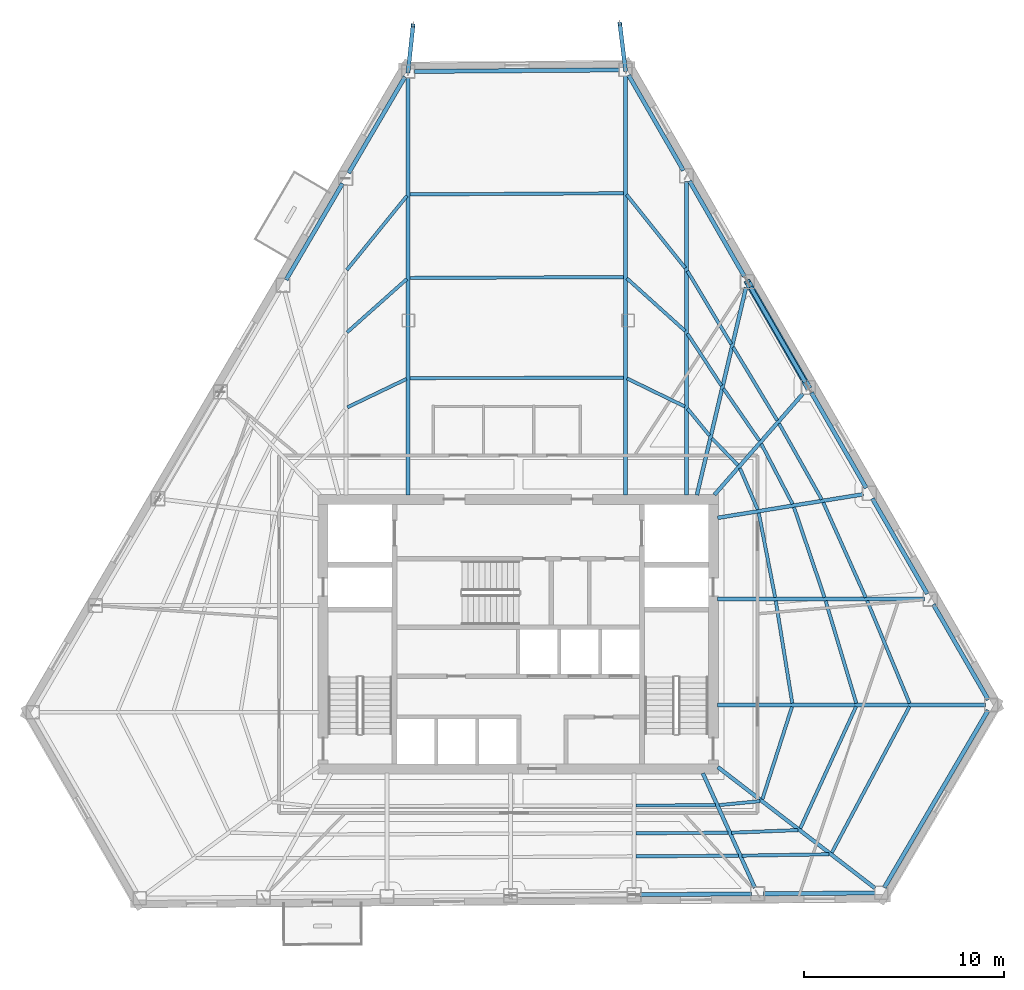
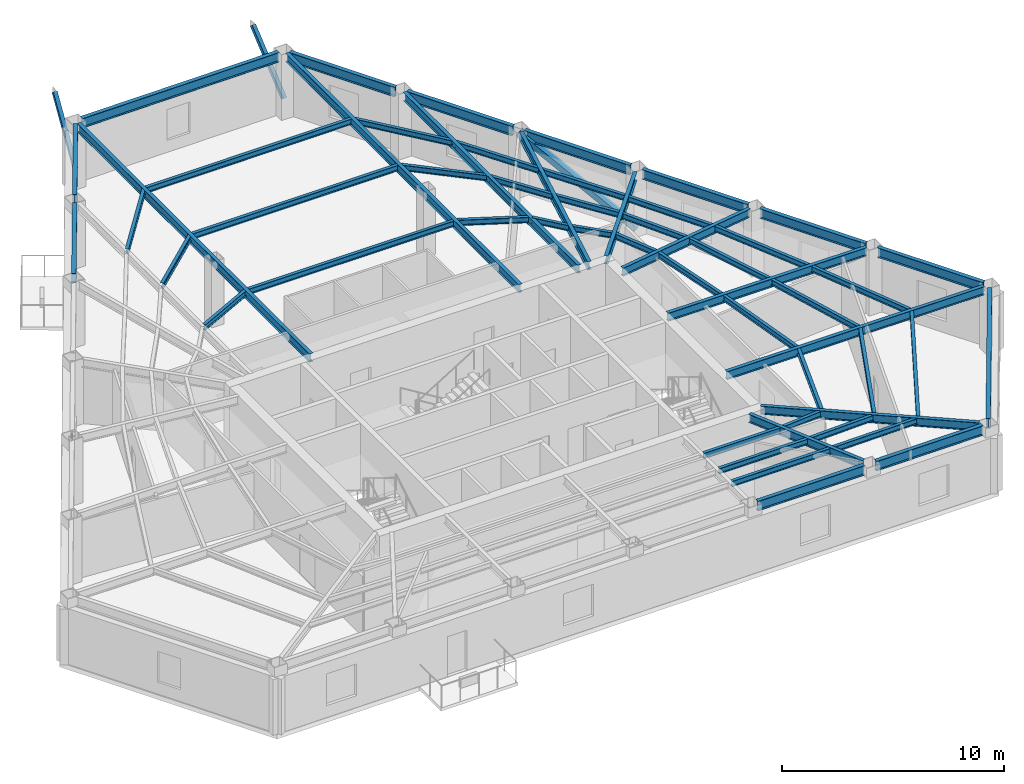
# One storey, part 2 of 12: 55 beams, 3 members.
"""IFC4 building model written with IfcOpenShell, lengths in metres."""

from ifc_helpers import new_model, si_unit, direction, frame, origin, origin_2d, place, context, subcontext, project, spatial, hollow_rectangle, i_section, extrude, material, material_profile, profile_set, type_object, element, save


model = new_model("IFC4")

# Units and contexts
model_context = context("Model", 3, precision=1e-05, world=origin(), true_north=direction((0.0, 1.0)))
body_context = subcontext(model_context, "Body", "Model", "MODEL_VIEW")
ifc_project = project(units=[si_unit("LENGTHUNIT", "METRE"), si_unit("AREAUNIT", "SQUARE_METRE"), si_unit("VOLUMEUNIT", "CUBIC_METRE"), si_unit("PLANEANGLEUNIT", "RADIAN"), si_unit("MASSUNIT", "GRAM", prefix="KILO")], contexts=[model_context])

# Site, building, storey
site_placement = place(None, origin())
site = spatial("IfcSite", under=ifc_project, at=site_placement, CompositionType="ELEMENT")
building_placement = place(site_placement, origin())
building = spatial("IfcBuilding", under=site, at=building_placement, Name="Kavelnor Concourse Tower", CompositionType="ELEMENT")
storey_placement = place(building_placement, frame((0.0, 0.0, 143.25)))
storey = spatial("IfcBuildingStorey", under=building, at=storey_placement, Name="L36", CompositionType="ELEMENT", Elevation=143.25)

# Beams
ifc_material = material(Name="Steel Grade 350", Category="steel")
ifc_material_profile_1 = material_profile(ifc_material, i_section(OverallWidth=0.166015625, OverallDepth=0.306884765625, WebThickness=0.006591796875, FlangeThickness=0.01171875, at=origin_2d()), Name="310UB46")
ifc_profile_set_1 = profile_set([ifc_material_profile_1], Name="Steel Grade 350")
beam_type_1 = type_object("IfcBeamType", Name="BM-JOIST-310", PredefinedType="JOIST", material=ifc_profile_set_1)
beam_1_placement = place(storey_placement, frame((43.88720703125, 7.520263671875, 3.446533203125), z_axis=(0.999996380696, 0.002690463541, 0.0), x_axis=(-0.002690463541, 0.999996380696, 0.0)))
element("IfcBeam", 1, at=beam_1_placement, inside=storey, type_object=beam_type_1, Name="L36 Secondary Composite Joist 06-1", PredefinedType="JOIST", context=body_context, shape_type="SweptSolid", body=[
    extrude(i_section(OverallWidth=0.166015625, OverallDepth=0.306884765625, WebThickness=0.006591796875, FlangeThickness=0.01171875, at=origin_2d()), origin(), (0.0, 0.0, 1.0), 3.99267578125),
])
beam_2_placement = place(storey_placement, frame((43.88720703125, 6.132080078125, 3.446533203125), z_axis=(0.999987650457, 0.004969802218, 0.0), x_axis=(-0.004969802218, 0.999987650457, 0.0)))
element("IfcBeam", 2, at=beam_2_placement, inside=storey, type_object=beam_type_1, Name="L36 Secondary Composite Joist 06-2", PredefinedType="JOIST", context=body_context, shape_type="SweptSolid", body=[
    extrude(i_section(OverallWidth=0.166015625, OverallDepth=0.306884765625, WebThickness=0.006591796875, FlangeThickness=0.01171875, at=origin_2d()), origin(), (0.0, 0.0, 1.0), 4.61767578125),
])
beam_3_placement = place(storey_placement, frame((43.88720703125, 4.97509765625, 3.446533203125), z_axis=(0.99997912567, 0.006461286635, 0.0), x_axis=(-0.006461286635, 0.99997912567, 0.0)))
element("IfcBeam", 3, at=beam_3_placement, inside=storey, type_object=beam_type_1, Name="L36 Secondary Composite Joist 06-3", PredefinedType="JOIST", context=body_context, shape_type="SweptSolid", body=[
    extrude(i_section(OverallWidth=0.166015625, OverallDepth=0.306884765625, WebThickness=0.006591796875, FlangeThickness=0.01171875, at=origin_2d()), origin(), (0.0, 0.0, 1.0), 5.138671875),
])
beam_4_placement = place(storey_placement, frame((48.0576171875, 7.539794921875, 3.446533203125), z_axis=(0.995256979001, 0.097280757346, 0.0), x_axis=(-0.097280757346, 0.995256979001, 0.0)))
element("IfcBeam", 4, at=beam_4_placement, inside=storey, type_object=beam_type_1, Name="L36 Secondary Composite Joist 07-1", PredefinedType="JOIST", context=body_context, shape_type="SweptSolid", body=[
    extrude(i_section(OverallWidth=0.166015625, OverallDepth=0.306884765625, WebThickness=0.006591796875, FlangeThickness=0.01171875, at=origin_2d()), origin(), (0.0, 0.0, 1.0), 2.055419921875),
])
beam_5_placement = place(storey_placement, frame((48.68310546875, 6.158935546875, 3.446533203125), z_axis=(0.999218761506, 0.03952045869, 0.0), x_axis=(-0.03952045869, 0.999218761506, 0.0)))
element("IfcBeam", 5, at=beam_5_placement, inside=storey, type_object=beam_type_1, Name="L36 Secondary Composite Joist 07-2", PredefinedType="JOIST", context=body_context, shape_type="SweptSolid", body=[
    extrude(i_section(OverallWidth=0.166015625, OverallDepth=0.306884765625, WebThickness=0.006591796875, FlangeThickness=0.01171875, at=origin_2d()), origin(), (0.0, 0.0, 1.0), 3.311279296875),
])
beam_6_placement = place(storey_placement, frame((49.2041015625, 5.01025390625, 3.446533203125), z_axis=(0.999874540452, 0.015839929184, 0.0), x_axis=(-0.015839929184, 0.999874540452, 0.0)))
element("IfcBeam", 6, at=beam_6_placement, inside=storey, type_object=beam_type_1, Name="L36 Secondary Composite Joist 07-3", PredefinedType="JOIST", context=body_context, shape_type="SweptSolid", body=[
    extrude(i_section(OverallWidth=0.166015625, OverallDepth=0.306884765625, WebThickness=0.006591796875, FlangeThickness=0.01171875, at=origin_2d()), origin(), (0.0, 0.0, 1.0), 4.36181640625),
])
beam_7_placement = place(storey_placement, frame((50.218994140625, 7.8330078125, 3.446533203125), z_axis=(0.305128856292, 0.952311073682, 0.0), x_axis=(-0.952311073682, 0.305128856292, 0.0)))
element("IfcBeam", 7, at=beam_7_placement, inside=storey, type_object=beam_type_1, Name="L36 Secondary Composite Joist 08-1", PredefinedType="JOIST", context=body_context, shape_type="SweptSolid", body=[
    extrude(i_section(OverallWidth=0.166015625, OverallDepth=0.306884765625, WebThickness=0.006591796875, FlangeThickness=0.01171875, at=origin_2d()), origin(), (0.0, 0.0, 1.0), 4.866455078125),
])
beam_8_placement = place(storey_placement, frame((52.117431640625, 6.374267578125, 3.446533203125), z_axis=(0.416324974313, 0.909215879626, 0.0), x_axis=(-0.909215879626, 0.416324974313, 0.0)))
element("IfcBeam", 8, at=beam_8_placement, inside=storey, type_object=beam_type_1, Name="L36 Secondary Composite Joist 08-2", PredefinedType="JOIST", context=body_context, shape_type="SweptSolid", body=[
    extrude(i_section(OverallWidth=0.166015625, OverallDepth=0.306884765625, WebThickness=0.006591796875, FlangeThickness=0.01171875, at=origin_2d()), origin(), (0.0, 0.0, 1.0), 6.705810546875),
])
beam_9_placement = place(storey_placement, frame((53.6962890625, 5.1591796875, 3.446533203125), z_axis=(0.469299608616, 0.883039001037, 0.0), x_axis=(-0.883039001037, 0.469299608616, 0.0)))
element("IfcBeam", 9, at=beam_9_placement, inside=storey, type_object=beam_type_1, Name="L36 Secondary Composite Joist 08-3", PredefinedType="JOIST", context=body_context, shape_type="SweptSolid", body=[
    extrude(i_section(OverallWidth=0.166015625, OverallDepth=0.306884765625, WebThickness=0.006591796875, FlangeThickness=0.01171875, at=origin_2d()), origin(), (0.0, 0.0, 1.0), 8.282958984375),
])
beam_10_placement = place(storey_placement, frame((51.716796875, 12.639892578125, 3.446533203125), z_axis=(-0.159223562906, 0.987242552272, 0.0), x_axis=(-0.987242552272, -0.159223562906, 0.0)))
element("IfcBeam", 10, at=beam_10_placement, inside=storey, type_object=beam_type_1, Name="L36 Secondary Composite Joist 09-1", PredefinedType="JOIST", context=body_context, shape_type="SweptSolid", body=[
    extrude(i_section(OverallWidth=0.166015625, OverallDepth=0.306884765625, WebThickness=0.006591796875, FlangeThickness=0.01171875, at=origin_2d()), origin(), (0.0, 0.0, 1.0), 5.188720703125),
])
beam_11_placement = place(storey_placement, frame((54.920654296875, 12.63720703125, 3.446533203125), z_axis=(-0.286933601153, 0.9579504729, 0.0), x_axis=(-0.9579504729, -0.286933601153, 0.0)))
element("IfcBeam", 11, at=beam_11_placement, inside=storey, type_object=beam_type_1, Name="L36 Secondary Composite Joist 09-2", PredefinedType="JOIST", context=body_context, shape_type="SweptSolid", body=[
    extrude(i_section(OverallWidth=0.166015625, OverallDepth=0.306884765625, WebThickness=0.006591796875, FlangeThickness=0.01171875, at=origin_2d()), origin(), (0.0, 0.0, 1.0), 5.352783203125),
])
beam_12_placement = place(storey_placement, frame((57.59130859375, 12.63427734375, 3.446533203125), z_axis=(-0.383055249114, 0.9237254333, 0.0), x_axis=(-0.9237254333, -0.383055249114, 0.0)))
element("IfcBeam", 12, at=beam_12_placement, inside=storey, type_object=beam_type_1, Name="L36 Secondary Composite Joist 09-3", PredefinedType="JOIST", context=body_context, shape_type="SweptSolid", body=[
    extrude(i_section(OverallWidth=0.166015625, OverallDepth=0.306884765625, WebThickness=0.006591796875, FlangeThickness=0.01171875, at=origin_2d()), origin(), (0.0, 0.0, 1.0), 5.5576171875),
])
beam_13_placement = place(storey_placement, frame((50.859619140625, 17.937744140625, 3.446533203125), z_axis=(-0.190582714148, 0.981671140998, 0.0), x_axis=(-0.981671140998, -0.190582714148, 0.0)))
element("IfcBeam", 13, at=beam_13_placement, inside=storey, type_object=beam_type_1, Name="L36 Secondary Composite Joist 10-1", PredefinedType="JOIST", context=body_context, shape_type="SweptSolid", body=[
    extrude(i_section(OverallWidth=0.166015625, OverallDepth=0.306884765625, WebThickness=0.006591796875, FlangeThickness=0.01171875, at=origin_2d()), origin(), (0.0, 0.0, 1.0), 4.30419921875),
])
beam_14_placement = place(storey_placement, frame((53.330810546875, 17.9345703125, 3.446533203125), z_axis=(-0.320910034474, 0.947109682019, 0.0), x_axis=(-0.947109682019, -0.320910034474, 0.0)))
element("IfcBeam", 14, at=beam_14_placement, inside=storey, type_object=beam_type_1, Name="L36 Secondary Composite Joist 10-2", PredefinedType="JOIST", context=body_context, shape_type="SweptSolid", body=[
    extrude(i_section(OverallWidth=0.166015625, OverallDepth=0.306884765625, WebThickness=0.006591796875, FlangeThickness=0.01171875, at=origin_2d()), origin(), (0.0, 0.0, 1.0), 4.76708984375),
])
beam_15_placement = place(storey_placement, frame((55.39208984375, 17.931640625, 3.446533203125), z_axis=(-0.407876896316, 0.913036931045, 0.0), x_axis=(-0.913036931045, -0.407876896316, 0.0)))
element("IfcBeam", 15, at=beam_15_placement, inside=storey, type_object=beam_type_1, Name="L36 Secondary Composite Joist 10-3", PredefinedType="JOIST", context=body_context, shape_type="SweptSolid", body=[
    extrude(i_section(OverallWidth=0.166015625, OverallDepth=0.306884765625, WebThickness=0.006591796875, FlangeThickness=0.01171875, at=origin_2d()), origin(), (0.0, 0.0, 1.0), 5.2099609375),
])
beam_16_placement = place(storey_placement, frame((49.987060546875, 22.332275390625, 3.446533203125), z_axis=(-0.395197427246, 0.918596208079, 0.0), x_axis=(-0.918596208079, -0.395197427246, 0.0)))
element("IfcBeam", 16, at=beam_16_placement, inside=storey, type_object=beam_type_1, Name="L36 Secondary Composite Joist 11-1", PredefinedType="JOIST", context=body_context, shape_type="SweptSolid", body=[
    extrude(i_section(OverallWidth=0.166015625, OverallDepth=0.306884765625, WebThickness=0.006591796875, FlangeThickness=0.01171875, at=origin_2d()), origin(), (0.0, 0.0, 1.0), 2.258544921875),
])
beam_17_placement = place(storey_placement, frame((51.7314453125, 22.61279296875, 3.446533203125), z_axis=(-0.461474947787, 0.887153240745, 0.0), x_axis=(-0.887153240745, -0.461474947787, 0.0)))
element("IfcBeam", 17, at=beam_17_placement, inside=storey, type_object=beam_type_1, Name="L36 Secondary Composite Joist 11-2", PredefinedType="JOIST", context=body_context, shape_type="SweptSolid", body=[
    extrude(i_section(OverallWidth=0.166015625, OverallDepth=0.306884765625, WebThickness=0.006591796875, FlangeThickness=0.01171875, at=origin_2d()), origin(), (0.0, 0.0, 1.0), 3.396484375),
])
beam_18_placement = place(storey_placement, frame((53.187255859375, 22.847412109375, 3.446533203125), z_axis=(-0.490298522762, 0.871554564315, 0.0), x_axis=(-0.871554564315, -0.490298522762, 0.0)))
element("IfcBeam", 18, at=beam_18_placement, inside=storey, type_object=beam_type_1, Name="L36 Secondary Composite Joist 11-3", PredefinedType="JOIST", context=body_context, shape_type="SweptSolid", body=[
    extrude(i_section(OverallWidth=0.166015625, OverallDepth=0.306884765625, WebThickness=0.006591796875, FlangeThickness=0.01171875, at=origin_2d()), origin(), (0.0, 0.0, 1.0), 4.3525390625),
])
beam_19_placement = place(storey_placement, frame((48.997314453125, 24.552734375, 3.446533203125), z_axis=(-0.694722031567, 0.719278318077, 0.0), x_axis=(-0.719278318077, -0.694722031567, 0.0)))
element("IfcBeam", 19, at=beam_19_placement, inside=storey, type_object=beam_type_1, Name="L36 Secondary Composite Joist 12-1", PredefinedType="JOIST", context=body_context, shape_type="SweptSolid", body=[
    extrude(i_section(OverallWidth=0.166015625, OverallDepth=0.306884765625, WebThickness=0.006591796875, FlangeThickness=0.01171875, at=origin_2d()), origin(), (0.0, 0.0, 1.0), 1.879150390625),
])
beam_20_placement = place(storey_placement, frame((50.072509765625, 25.778076171875, 3.446533203125), z_axis=(-0.568340904808, 0.822793179312, 0.0), x_axis=(-0.822793179312, -0.568340904808, 0.0)))
element("IfcBeam", 20, at=beam_20_placement, inside=storey, type_object=beam_type_1, Name="L36 Secondary Composite Joist 12-2", PredefinedType="JOIST", context=body_context, shape_type="SweptSolid", body=[
    extrude(i_section(OverallWidth=0.166015625, OverallDepth=0.306884765625, WebThickness=0.006591796875, FlangeThickness=0.01171875, at=origin_2d()), origin(), (0.0, 0.0, 1.0), 3.171142578125),
])
beam_21_placement = place(storey_placement, frame((50.963623046875, 26.794677734375, 3.446533203125), z_axis=(-0.515728638351, 0.856751989542, 0.0), x_axis=(-0.856751989542, -0.515728638351, 0.0)))
element("IfcBeam", 21, at=beam_21_placement, inside=storey, type_object=beam_type_1, Name="L36 Secondary Composite Joist 12-3", PredefinedType="JOIST", context=body_context, shape_type="SweptSolid", body=[
    extrude(i_section(OverallWidth=0.166015625, OverallDepth=0.306884765625, WebThickness=0.006591796875, FlangeThickness=0.01171875, at=origin_2d()), origin(), (0.0, 0.0, 1.0), 4.279052734375),
])
beam_22_placement = place(storey_placement, frame((47.573486328125, 26.037353515625, 3.446533203125), z_axis=(-0.632548625052, 0.774520649786, 0.0), x_axis=(-0.774520649786, -0.632548625052, 0.0)))
element("IfcBeam", 22, at=beam_22_placement, inside=storey, type_object=beam_type_1, Name="L36 Secondary Composite Joist 13-1", PredefinedType="JOIST", context=body_context, shape_type="SweptSolid", body=[
    extrude(i_section(OverallWidth=0.166015625, OverallDepth=0.306884765625, WebThickness=0.006591796875, FlangeThickness=0.01171875, at=origin_2d()), origin(), (0.0, 0.0, 1.0), 1.73681640625),
])
beam_23_placement = place(storey_placement, frame((48.1708984375, 28.534912109375, 3.446533203125), z_axis=(-0.54715006596, 0.837034530542, 0.0), x_axis=(-0.837034530542, -0.54715006596, 0.0)))
element("IfcBeam", 23, at=beam_23_placement, inside=storey, type_object=beam_type_1, Name="L36 Secondary Composite Joist 13-2", PredefinedType="JOIST", context=body_context, shape_type="SweptSolid", body=[
    extrude(i_section(OverallWidth=0.166015625, OverallDepth=0.306884765625, WebThickness=0.006591796875, FlangeThickness=0.01171875, at=origin_2d()), origin(), (0.0, 0.0, 1.0), 3.113525390625),
])
beam_24_placement = place(storey_placement, frame((48.6650390625, 30.61328125, 3.446533203125), z_axis=(-0.515033414772, 0.857170100778, 0.0), x_axis=(-0.857170100778, -0.515033414772, 0.0)))
element("IfcBeam", 24, at=beam_24_placement, inside=storey, type_object=beam_type_1, Name="L36 Secondary Composite Joist 13-3", PredefinedType="JOIST", context=body_context, shape_type="SweptSolid", body=[
    extrude(i_section(OverallWidth=0.166015625, OverallDepth=0.306884765625, WebThickness=0.006591796875, FlangeThickness=0.01171875, at=origin_2d()), origin(), (0.0, 0.0, 1.0), 4.27294921875),
])
beam_25_placement = place(storey_placement, frame((46.33837890625, 27.490478515625, 3.446533203125), z_axis=(-0.899368268857, 0.437191853737, 0.0), x_axis=(-0.437191853737, -0.899368268857, 0.0)))
element("IfcBeam", 25, at=beam_25_placement, inside=storey, type_object=beam_type_1, Name="L36 Secondary Composite Joist 14-1", PredefinedType="JOIST", context=body_context, shape_type="SweptSolid", body=[
    extrude(i_section(OverallWidth=0.166015625, OverallDepth=0.306884765625, WebThickness=0.006591796875, FlangeThickness=0.01171875, at=origin_2d()), origin(), (0.0, 0.0, 1.0), 3.21484375),
])
beam_26_placement = place(storey_placement, frame((46.352294921875, 31.275146484375, 3.446533203125), z_axis=(-0.742191279625, 0.670188111241, 0.0), x_axis=(-0.670188111241, -0.742191279625, 0.0)))
element("IfcBeam", 26, at=beam_26_placement, inside=storey, type_object=beam_type_1, Name="L36 Secondary Composite Joist 14-2", PredefinedType="JOIST", context=body_context, shape_type="SweptSolid", body=[
    extrude(i_section(OverallWidth=0.166015625, OverallDepth=0.306884765625, WebThickness=0.006591796875, FlangeThickness=0.01171875, at=origin_2d()), origin(), (0.0, 0.0, 1.0), 3.93310546875),
])
beam_27_placement = place(storey_placement, frame((46.36279296875, 34.421875, 3.446533203125), z_axis=(-0.62463811835, 0.780914349404, 0.0), x_axis=(-0.780914349404, -0.62463811835, 0.0)))
element("IfcBeam", 27, at=beam_27_placement, inside=storey, type_object=beam_type_1, Name="L36 Secondary Composite Joist 14-3", PredefinedType="JOIST", context=body_context, shape_type="SweptSolid", body=[
    extrude(i_section(OverallWidth=0.166015625, OverallDepth=0.306884765625, WebThickness=0.006591796875, FlangeThickness=0.01171875, at=origin_2d()), origin(), (0.0, 0.0, 1.0), 4.70703125),
])
for number, where, z_axis, x_axis, name in (
    (28, (43.27783203125, 28.934814453125, 3.446533203125), (-0.999997844991, -0.002076056941, 0.0), (0.002076056941, -0.999997844991, 0.0), "L36 Secondary Composite Joist 15-1"),
    (29, (43.27783203125, 33.970458984375, 3.446533203125), (-0.999992567478, -0.003855513971, 0.0), (0.003855513971, -0.999992567478, 0.0), "L36 Secondary Composite Joist 15-2"),
):
    element("IfcBeam", number, at=place(storey_placement, frame(where, z_axis=z_axis, x_axis=x_axis)), inside=storey, type_object=beam_type_1, Name=name, PredefinedType="JOIST", context=body_context, shape_type="SweptSolid", body=[
        extrude(i_section(OverallWidth=0.166015625, OverallDepth=0.306884765625, WebThickness=0.006591796875, FlangeThickness=0.01171875, at=origin_2d()), origin(), (0.0, 0.0, 1.0), 10.701416015625),
    ])
beam_28_placement = place(storey_placement, frame((43.27783203125, 38.16650390625, 3.446533203125), z_axis=(-0.999985993344, -0.00529274178, 0.0), x_axis=(0.00529274178, -0.999985993344, 0.0)))
element("IfcBeam", 30, at=beam_28_placement, inside=storey, type_object=beam_type_1, Name="L36 Secondary Composite Joist 15-3", PredefinedType="JOIST", context=body_context, shape_type="SweptSolid", body=[
    extrude(i_section(OverallWidth=0.166015625, OverallDepth=0.306884765625, WebThickness=0.006591796875, FlangeThickness=0.01171875, at=origin_2d()), origin(), (0.0, 0.0, 1.0), 10.70166015625),
])
beam_29_placement = place(storey_placement, frame((32.406982421875, 28.8740234375, 3.446533203125), z_axis=(-0.901332384163, -0.433128079509, 0.0), x_axis=(0.433128079509, -0.901332384163, 0.0)))
element("IfcBeam", 31, at=beam_29_placement, inside=storey, type_object=beam_type_1, Name="L36 Secondary Composite Joist 16-1", PredefinedType="JOIST", context=body_context, shape_type="SweptSolid", body=[
    extrude(i_section(OverallWidth=0.166015625, OverallDepth=0.306884765625, WebThickness=0.006591796875, FlangeThickness=0.01171875, at=origin_2d()), origin(), (0.0, 0.0, 1.0), 3.2783203125),
])
beam_30_placement = place(storey_placement, frame((32.4208984375, 33.869873046875, 3.446533203125), z_axis=(-0.74668849412, -0.66517388159, 0.0), x_axis=(0.66517388159, -0.74668849412, 0.0)))
element("IfcBeam", 32, at=beam_30_placement, inside=storey, type_object=beam_type_1, Name="L36 Secondary Composite Joist 16-2", PredefinedType="JOIST", context=body_context, shape_type="SweptSolid", body=[
    extrude(i_section(OverallWidth=0.166015625, OverallDepth=0.306884765625, WebThickness=0.006591796875, FlangeThickness=0.01171875, at=origin_2d()), origin(), (0.0, 0.0, 1.0), 4.00146484375),
])
beam_31_placement = place(storey_placement, frame((32.43115234375, 38.040283203125, 3.446533203125), z_axis=(-0.630284914306, -0.776363913895, 0.0), x_axis=(0.776363913895, -0.630284914306, 0.0)))
element("IfcBeam", 33, at=beam_31_placement, inside=storey, type_object=beam_type_1, Name="L36 Secondary Composite Joist 16-3", PredefinedType="JOIST", context=body_context, shape_type="SweptSolid", body=[
    extrude(i_section(OverallWidth=0.166015625, OverallDepth=0.306884765625, WebThickness=0.006591796875, FlangeThickness=0.01171875, at=origin_2d()), origin(), (0.0, 0.0, 1.0), 4.77978515625),
])
ifc_material_profile_2 = material_profile(ifc_material, i_section(OverallWidth=0.18994140625, OverallDepth=0.4541015625, WebThickness=0.008544921875, FlangeThickness=0.0126953125, at=origin_2d()), Name="460UB67")
ifc_profile_set_2 = profile_set([ifc_material_profile_2], Name="Steel Grade 350")
beam_type_2 = type_object("IfcBeamType", Name="BM-PRIMARY-460", PredefinedType="BEAM", material=ifc_profile_set_2)
beam_32_placement = place(storey_placement, frame((32.4873046875, 23.06005859375, 3.373046875), z_axis=(0.0, 1.0, 0.0), x_axis=(-1.0, 0.0, 0.0)))
element("IfcBeam", 34, at=beam_32_placement, inside=storey, type_object=beam_type_2, Name="L36 Primary Floor Girder F0-B0", PredefinedType="BEAM", context=body_context, shape_type="SweptSolid", body=[
    extrude(i_section(OverallWidth=0.18994140625, OverallDepth=0.4541015625, WebThickness=0.008544921875, FlangeThickness=0.0126953125, at=origin_2d()), origin(), (0.0, 0.0, 1.0), 20.90185546875),
])
beam_33_placement = place(storey_placement, frame((47.239501953125, 9.136474609375, 3.373046875), z_axis=(0.413668562322, -0.910427548214, 0.0), x_axis=(0.910427548214, 0.413668562322, 0.0)))
element("IfcBeam", 35, at=beam_33_placement, inside=storey, type_object=beam_type_2, Name="L36 Primary Floor Girder F1-B5", PredefinedType="BEAM", context=body_context, shape_type="SweptSolid", body=[
    extrude(i_section(OverallWidth=0.18994140625, OverallDepth=0.4541015625, WebThickness=0.008544921875, FlangeThickness=0.0126953125, at=origin_2d()), origin(), (0.0, 0.0, 1.0), 6.296630859375),
])
beam_34_placement = place(storey_placement, frame((47.98828125, 9.44580078125, 3.373046875), z_axis=(0.792188907694, -0.61027594949, 0.0), x_axis=(0.61027594949, 0.792188907694, 0.0)))
element("IfcBeam", 36, at=beam_34_placement, inside=storey, type_object=beam_type_2, Name="L36 Primary Floor Girder F1-B6", PredefinedType="BEAM", context=body_context, shape_type="SweptSolid", body=[
    extrude(i_section(OverallWidth=0.18994140625, OverallDepth=0.4541015625, WebThickness=0.008544921875, FlangeThickness=0.0126953125, at=origin_2d()), origin(), (0.0, 0.0, 1.0), 9.93408203125),
])
beam_35_placement = place(storey_placement, frame((47.97998046875, 12.552001953125, 3.373046875), z_axis=(1.0, 0.0, 0.0), x_axis=(0.0, 1.0, 0.0)))
element("IfcBeam", 37, at=beam_35_placement, inside=storey, type_object=beam_type_2, Name="L36 Primary Floor Girder F2-B0", PredefinedType="BEAM", context=body_context, shape_type="SweptSolid", body=[
    extrude(i_section(OverallWidth=0.18994140625, OverallDepth=0.4541015625, WebThickness=0.008544921875, FlangeThickness=0.0126953125, at=origin_2d()), origin(), (0.0, 0.0, 1.0), 13.396484375),
])
beam_36_placement = place(storey_placement, frame((47.97998046875, 17.850341796875, 3.373046875), z_axis=(1.0, 0.0, 0.0), x_axis=(0.0, 1.0, 0.0)))
element("IfcBeam", 38, at=beam_36_placement, inside=storey, type_object=beam_type_2, Name="L36 Primary Floor Girder F2-B1", PredefinedType="BEAM", context=body_context, shape_type="SweptSolid", body=[
    extrude(i_section(OverallWidth=0.18994140625, OverallDepth=0.4541015625, WebThickness=0.008544921875, FlangeThickness=0.0126953125, at=origin_2d()), origin(), (0.0, 0.0, 1.0), 10.3447265625),
])
beam_37_placement = place(storey_placement, frame((47.98046875, 21.920166015625, 3.373046875), z_axis=(0.987160885493, 0.1597291024, 0.0), x_axis=(-0.1597291024, 0.987160885493, 0.0)))
element("IfcBeam", 39, at=beam_37_placement, inside=storey, type_object=beam_type_2, Name="L36 Primary Floor Girder F2-B2", PredefinedType="BEAM", context=body_context, shape_type="SweptSolid", body=[
    extrude(i_section(OverallWidth=0.18994140625, OverallDepth=0.4541015625, WebThickness=0.008544921875, FlangeThickness=0.0126953125, at=origin_2d()), origin(), (0.0, 0.0, 1.0), 7.386962890625),
])
beam_38_placement = place(storey_placement, frame((47.818115234375, 23.06982421875, 3.373046875), z_axis=(0.65837109501, 0.752693497551, 0.0), x_axis=(-0.752693497551, 0.65837109501, 0.0)))
element("IfcBeam", 40, at=beam_38_placement, inside=storey, type_object=beam_type_2, Name="L36 Primary Floor Girder F2-B3", PredefinedType="BEAM", context=body_context, shape_type="SweptSolid", body=[
    extrude(i_section(OverallWidth=0.18994140625, OverallDepth=0.4541015625, WebThickness=0.008544921875, FlangeThickness=0.0126953125, at=origin_2d()), origin(), (0.0, 0.0, 1.0), 6.732421875),
])
beam_39_placement = place(storey_placement, frame((46.94189453125, 23.06103515625, 3.373046875), z_axis=(0.230273669424, 0.973125910235, 0.0), x_axis=(-0.973125910235, 0.230273669424, 0.0)))
element("IfcBeam", 41, at=beam_39_placement, inside=storey, type_object=beam_type_2, Name="L36 Primary Floor Girder F2-B4", PredefinedType="BEAM", context=body_context, shape_type="SweptSolid", body=[
    extrude(i_section(OverallWidth=0.18994140625, OverallDepth=0.4541015625, WebThickness=0.008544921875, FlangeThickness=0.0126953125, at=origin_2d()), origin(), (0.0, 0.0, 1.0), 10.670166015625),
])
beam_40_placement = place(storey_placement, frame((46.41845703125, 23.06005859375, 3.373046875), z_axis=(0.0, 1.0, 0.0), x_axis=(-1.0, 0.0, 0.0)))
element("IfcBeam", 42, at=beam_40_placement, inside=storey, type_object=beam_type_2, Name="L36 Primary Floor Girder F2-B5", PredefinedType="BEAM", context=body_context, shape_type="SweptSolid", body=[
    extrude(i_section(OverallWidth=0.18994140625, OverallDepth=0.4541015625, WebThickness=0.008544921875, FlangeThickness=0.0126953125, at=origin_2d()), origin(), (0.0, 0.0, 1.0), 15.683837890625),
])
beam_41_placement = place(storey_placement, frame((43.366943359375, 23.06005859375, 3.373046875), z_axis=(0.0, 1.0, 0.0), x_axis=(-1.0, 0.0, 0.0)))
element("IfcBeam", 43, at=beam_41_placement, inside=storey, type_object=beam_type_2, Name="L36 Primary Floor Girder F2-B6", PredefinedType="BEAM", context=body_context, shape_type="SweptSolid", body=[
    extrude(i_section(OverallWidth=0.18994140625, OverallDepth=0.4541015625, WebThickness=0.008544921875, FlangeThickness=0.0126953125, at=origin_2d()), origin(), (0.0, 0.0, 1.0), 20.98193359375),
])
ifc_material_profile_3 = material_profile(ifc_material, i_section(OverallWidth=0.208984375, OverallDepth=0.532958984375, WebThickness=0.01025390625, FlangeThickness=0.015625, at=origin_2d()), Name="530UB92")
ifc_profile_set_3 = profile_set([ifc_material_profile_3], Name="Steel Grade 350")
beam_type_3 = type_object("IfcBeamType", Name="BM-SPANDREL-Z2", PredefinedType="SPANDREL", material=ifc_profile_set_3)
beam_42_placement = place(storey_placement, frame((32.3330078125, 43.998779296875, 3.33349609375), z_axis=(-0.505416594339, -0.86287546388, 0.0), x_axis=(0.86287546388, -0.505416594339, 0.0)))
element("IfcBeam", 44, at=beam_42_placement, inside=storey, type_object=beam_type_3, Name="L36 Perimeter Tube Spandrel Beam F0-B0", PredefinedType="SPANDREL", context=body_context, shape_type="SweptSolid", body=[
    extrude(i_section(OverallWidth=0.208984375, OverallDepth=0.532958984375, WebThickness=0.01025390625, FlangeThickness=0.015625, at=origin_2d()), origin(), (0.0, 0.0, 1.0), 5.58544921875),
])
beam_43_placement = place(storey_placement, frame((29.201416015625, 38.65283203125, 3.33349609375), z_axis=(-0.505435657291, -0.862864297754, 0.0), x_axis=(0.862864297754, -0.505435657291, 0.0)))
element("IfcBeam", 45, at=beam_43_placement, inside=storey, type_object=beam_type_3, Name="L36 Perimeter Tube Spandrel Beam F0-B1", PredefinedType="SPANDREL", context=body_context, shape_type="SweptSolid", body=[
    extrude(i_section(OverallWidth=0.208984375, OverallDepth=0.532958984375, WebThickness=0.01025390625, FlangeThickness=0.015625, at=origin_2d()), origin(), (0.0, 0.0, 1.0), 5.585205078125),
])
beam_44_placement = place(storey_placement, frame((43.06201171875, 44.33984375, 3.33349609375), z_axis=(-0.999972845994, -0.007369347017, 0.0), x_axis=(0.007369347017, -0.999972845994, 0.0)))
element("IfcBeam", 46, at=beam_44_placement, inside=storey, type_object=beam_type_3, Name="L36 Chamfer Facet Spandrel Beam C0", PredefinedType="SPANDREL", context=body_context, shape_type="SweptSolid", body=[
    extrude(i_section(OverallWidth=0.208984375, OverallDepth=0.532958984375, WebThickness=0.01025390625, FlangeThickness=0.015625, at=origin_2d()), origin(), (0.0, 0.0, 1.0), 10.27001953125),
])
for number, where, z_axis, x_axis, name in (
    (47, (44.103271484375, 3.056884765625, 3.33349609375), (0.999972927955, 0.007358216981, 0.0), (-0.007358216981, 0.999972927955, 0.0), "L36 Perimeter Tube Spandrel Beam F1-B4"),
    (48, (50.287109375, 3.102294921875, 3.33349609375), (0.999972604723, 0.007402013499, 0.0), (-0.007402013499, 0.999972604723, 0.0), "L36 Perimeter Tube Spandrel Beam F1-B5"),
):
    element("IfcBeam", number, at=place(storey_placement, frame(where, z_axis=z_axis, x_axis=x_axis)), inside=storey, type_object=beam_type_3, Name=name, PredefinedType="SPANDREL", context=body_context, shape_type="SweptSolid", body=[
        extrude(i_section(OverallWidth=0.208984375, OverallDepth=0.532958984375, WebThickness=0.01025390625, FlangeThickness=0.015625, at=origin_2d()), origin(), (0.0, 0.0, 1.0), 5.57421875),
    ])
beam_45_placement = place(storey_placement, frame((61.524169921875, 12.81640625, 3.33349609375), z_axis=(-0.499097691573, 0.866545725433, 0.0), x_axis=(-0.866545725433, -0.499097691573, 0.0)))
element("IfcBeam", 49, at=beam_45_placement, inside=storey, type_object=beam_type_3, Name="L36 Perimeter Tube Spandrel Beam F2-B0", PredefinedType="SPANDREL", context=body_context, shape_type="SweptSolid", body=[
    extrude(i_section(OverallWidth=0.208984375, OverallDepth=0.532958984375, WebThickness=0.01025390625, FlangeThickness=0.015625, at=origin_2d()), origin(), (0.0, 0.0, 1.0), 5.504150390625),
])
beam_46_placement = place(storey_placement, frame((58.47265625, 18.114501953125, 3.33349609375), z_axis=(-0.499092631873, 0.86654863961, 0.0), x_axis=(-0.86654863961, -0.499092631873, 0.0)))
element("IfcBeam", 50, at=beam_46_placement, inside=storey, type_object=beam_type_3, Name="L36 Perimeter Tube Spandrel Beam F2-B1", PredefinedType="SPANDREL", context=body_context, shape_type="SweptSolid", body=[
    extrude(i_section(OverallWidth=0.208984375, OverallDepth=0.532958984375, WebThickness=0.01025390625, FlangeThickness=0.015625, at=origin_2d()), origin(), (0.0, 0.0, 1.0), 5.504638671875),
])
for number, where, z_axis, x_axis, name in (
    (51, (55.4208984375, 23.4130859375, 3.33349609375), (-0.499078508466, 0.866556773897, 0.0), (-0.866556773897, -0.499078508466, 0.0), "L36 Perimeter Tube Spandrel Beam F2-B2"),
    (52, (52.369384765625, 28.71142578125, 3.33349609375), (-0.499078508466, 0.866556773897, 0.0), (-0.866556773897, -0.499078508466, 0.0), "L36 Perimeter Tube Spandrel Beam F2-B3"),
    (53, (49.31787109375, 34.009765625, 3.33349609375), (-0.499078508466, 0.866556773897, 0.0), (-0.866556773897, -0.499078508466, 0.0), "L36 Perimeter Tube Spandrel Beam F2-B4"),
    (54, (46.266357421875, 39.30810546875, 3.33349609375), (-0.499111814181, 0.86653759119, 0.0), (-0.86653759119, -0.499111814181, 0.0), "L36 Perimeter Tube Spandrel Beam F2-B5"),
):
    element("IfcBeam", number, at=place(storey_placement, frame(where, z_axis=z_axis, x_axis=x_axis)), inside=storey, type_object=beam_type_3, Name=name, PredefinedType="SPANDREL", context=body_context, shape_type="SweptSolid", body=[
        extrude(i_section(OverallWidth=0.208984375, OverallDepth=0.532958984375, WebThickness=0.01025390625, FlangeThickness=0.015625, at=origin_2d()), origin(), (0.0, 0.0, 1.0), 5.50439453125),
    ])
beam_47_placement = place(storey_placement, frame((56.3203125, 3.408935546875, 3.33349609375), z_axis=(0.505463165441, 0.862848183855, 0.0), x_axis=(-0.862848183855, 0.505463165441, 0.0)))
element("IfcBeam", 55, at=beam_47_placement, inside=storey, type_object=beam_type_3, Name="L36 Chamfer Facet Spandrel Beam C2", PredefinedType="SPANDREL", context=body_context, shape_type="SweptSolid", body=[
    extrude(i_section(OverallWidth=0.208984375, OverallDepth=0.532958984375, WebThickness=0.01025390625, FlangeThickness=0.015625, at=origin_2d()), origin(), (0.0, 0.0, 1.0), 10.291259765625),
])

# Members
ifc_material_profile_4 = material_profile(ifc_material, hollow_rectangle(XDim=0.199951171875, YDim=0.199951171875, WallThickness=0.011962890625, at=origin_2d()), Name="SHS 200x200x12")
ifc_profile_set_4 = profile_set([ifc_material_profile_4], Name="Steel Grade 350")
member_type_1 = type_object("IfcMemberType", Name="MBR-TERR-STRUT-200", PredefinedType="STRUT", material=ifc_profile_set_4)
member_1_placement = place(storey_placement, frame((43.366943359375, 44.342041015625, 0.89990234375), z_axis=(-0.078984892648, 0.644103802128, 0.760849314133), x_axis=(-0.992564986755, -0.121715845592, 0.0)))
element("IfcMember", 56, at=member_1_placement, inside=storey, type_object=member_type_1, Name="L36 Spiral Terrace Raking Knee Strut C0-A", PredefinedType="STRUT", context=body_context, shape_type="SweptSolid", body=[
    extrude(hollow_rectangle(XDim=0.199951171875, YDim=0.199951171875, WallThickness=0.011962890625, at=origin_2d()), origin(), (0.0, 0.0, 1.0), 3.5947265625),
])
member_2_placement = place(storey_placement, frame((32.4873046875, 44.261962890625, 0.89990234375), z_axis=(0.068756385231, 0.644038544156, 0.761896917654), x_axis=(-0.994349599016, 0.106154957192, 0.0)))
element("IfcMember", 57, at=member_2_placement, inside=storey, type_object=member_type_1, Name="L36 Spiral Terrace Raking Knee Strut C0-B", PredefinedType="STRUT", context=body_context, shape_type="SweptSolid", body=[
    extrude(hollow_rectangle(XDim=0.199951171875, YDim=0.199951171875, WallThickness=0.011962890625, at=origin_2d()), origin(), (0.0, 0.0, 1.0), 3.58984375),
])
ifc_material_profile_5 = material_profile(ifc_material, hollow_rectangle(XDim=0.320068359375, YDim=0.320068359375, WallThickness=0.01806640625, at=origin_2d()), Name="SHS 320x320x18")
ifc_profile_set_5 = profile_set([ifc_material_profile_5], Name="Steel Grade 350")
member_type_2 = type_object("IfcMemberType", Name="MBR-TUBE-DIAG-Z2", PredefinedType="BRACE", material=ifc_profile_set_5)
member_3_placement = place(storey_placement, frame((52.521728515625, 28.447021484375, 0.219970703125), z_axis=(-0.44473927347, 0.772200313053, 0.453777098533), x_axis=(-0.866554953936, -0.499081668475, 0.0)))
element("IfcMember", 58, at=member_3_placement, inside=storey, type_object=member_type_2, Name="L36 Framed-Tube Bracing Diagonal F2-B3", PredefinedType="BRACE", context=body_context, shape_type="SweptSolid", body=[
    extrude(hollow_rectangle(XDim=0.320068359375, YDim=0.320068359375, WallThickness=0.01806640625, at=origin_2d()), origin(), (0.0, 0.0, 1.0), 6.861328125),
])

save(model, "model.ifc")
